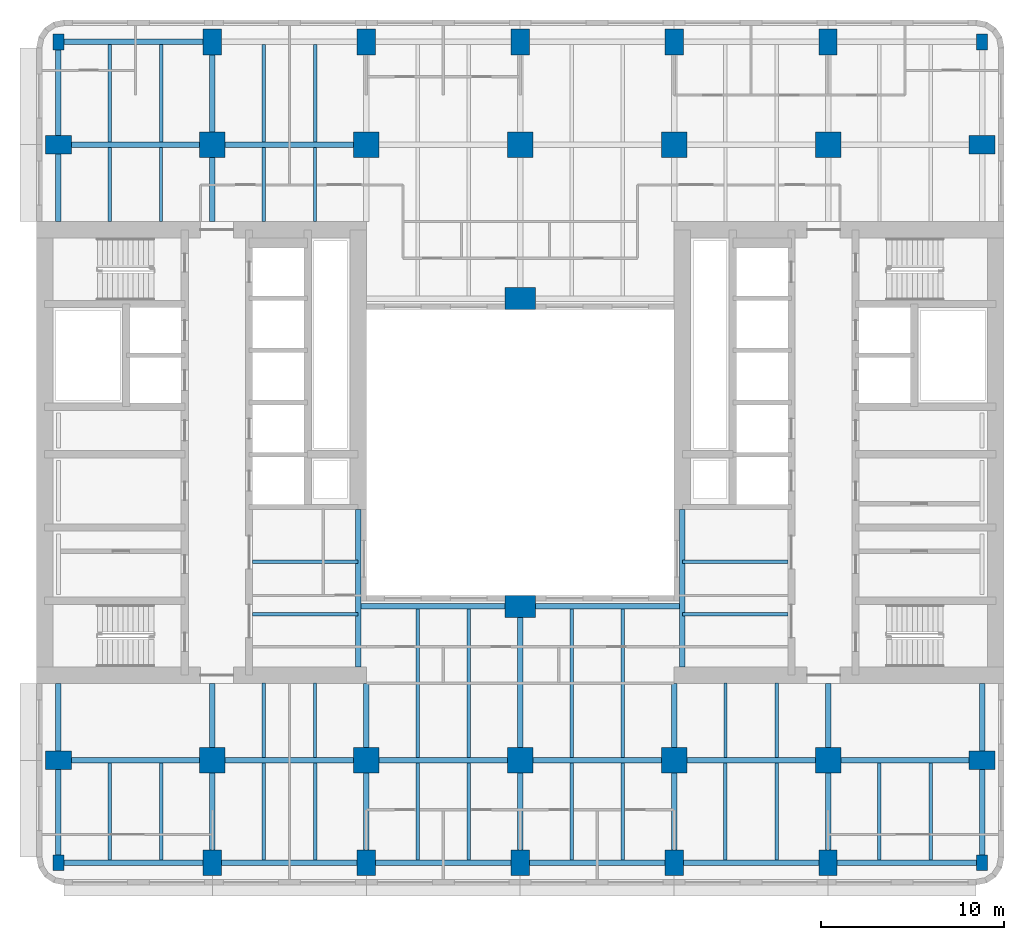
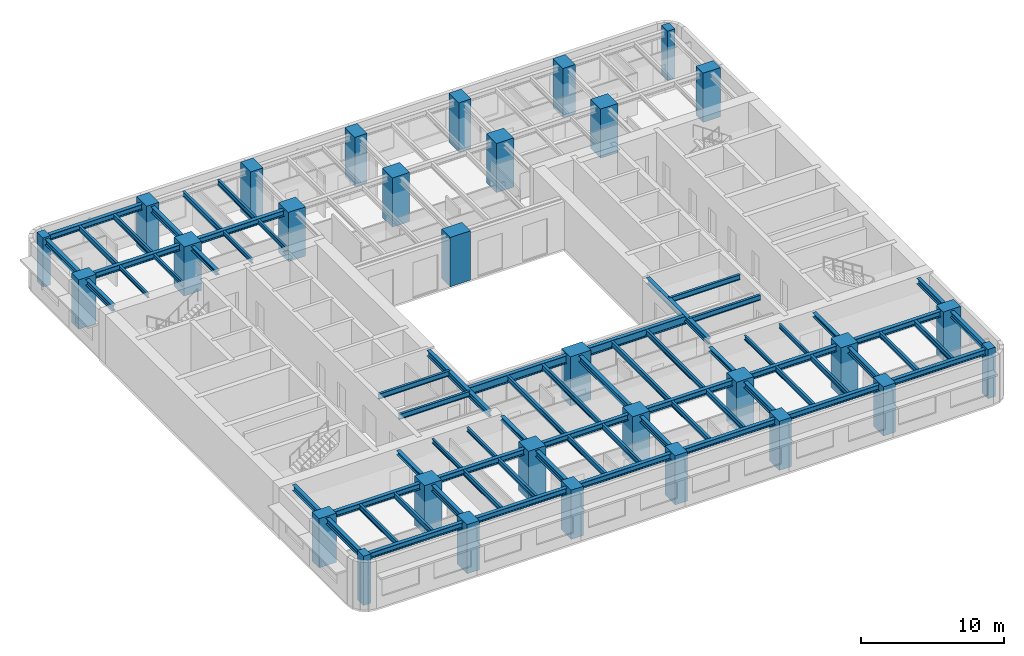
# One storey, part 1 of 11: 69 beams, 30 columns.
"""IFC4 building model written with IfcOpenShell, lengths in metres."""

from ifc_helpers import new_model, si_unit, direction, frame, origin, origin_2d, place, context, subcontext, project, spatial, rectangle, i_section, extrude, material, material_profile, profile_set, type_object, element, save


model = new_model("IFC4")

# Units and contexts
model_context = context("Model", 3, precision=1e-05, world=origin(), true_north=direction((0.0, 1.0)))
body_context = subcontext(model_context, "Body", "Model", "MODEL_VIEW")
ifc_project = project(units=[si_unit("LENGTHUNIT", "METRE"), si_unit("AREAUNIT", "SQUARE_METRE"), si_unit("VOLUMEUNIT", "CUBIC_METRE"), si_unit("PLANEANGLEUNIT", "RADIAN"), si_unit("MASSUNIT", "GRAM", prefix="KILO")], contexts=[model_context])

# Site, building, storey
site_placement = place(None, origin())
site = spatial("IfcSite", under=ifc_project, at=site_placement, CompositionType="ELEMENT")
building_placement = place(site_placement, origin())
building = spatial("IfcBuilding", under=site, at=building_placement, Name="Claustro Exchange Tower", CompositionType="ELEMENT")
storey_placement = place(building_placement, frame((0.0, 0.0, 159.60009765625)))
storey = spatial("IfcBuildingStorey", under=building, at=storey_placement, Name="L36", CompositionType="ELEMENT", Elevation=159.60009765625)

# Columns
ifc_material_1 = material(Name="Concrete HA-70 (C70/85)", Category="concrete")
ifc_material_profile_1 = material_profile(ifc_material_1, rectangle(XDim=1.39990234375, YDim=1.39990234375, at=origin_2d()), Name="RC 1400x1400")
ifc_profile_set_1 = profile_set([ifc_material_profile_1], Name="Concrete HA-70 (C70/85)")
column_type_1 = type_object("IfcColumnType", Name="C0 RC 1400x1400 HA-70 column", PredefinedType="COLUMN", material=ifc_profile_set_1)
for number, where, z_axis, x_axis, name in (
    (1, (8.39990234375, 8.39990234375, 0.0), (0.0, 0.0, 1.0), (1.0, 0.0, 0.0), "Column C0 2/B L36"),
    (2, (8.39990234375, 42.0, 0.0), (0.0, 0.0, 1.0), (1.0, 0.0, 0.0), "Column C0 2/F L36"),
    (3, (16.800048828125, 8.39990234375, 0.0), (0.0, 0.0, 1.0), (1.0, 0.0, 0.0), "Column C0 3/B L36"),
    (4, (16.800048828125, 42.0, 0.0), (0.0, 0.0, 1.0), (1.0, 0.0, 0.0), "Column C0 3/F L36"),
    (5, (25.199951171875, 8.39990234375, 0.0), (0.0, 0.0, 1.0), (1.0, 0.0, 0.0), "Column C0 4/B L36"),
    (6, (25.199951171875, 42.0, 0.0), (0.0, 0.0, 1.0), (1.0, 0.0, 0.0), "Column C0 4/F L36"),
    (7, (33.60009765625, 8.39990234375, 0.0), (0.0, 0.0, 1.0), (1.0, 0.0, 0.0), "Column C0 5/B L36"),
    (8, (33.60009765625, 42.0, 0.0), (0.0, 0.0, 1.0), (1.0, 0.0, 0.0), "Column C0 5/F L36"),
    (9, (42.0, 8.39990234375, 0.0), (0.0, 0.0, 1.0), (1.0, 0.0, 0.0), "Column C0 6/B L36"),
    (10, (42.0, 42.0, 0.0), (0.0, 0.0, 1.0), (1.0, 0.0, 0.0), "Column C0 6/F L36"),
):
    element("IfcColumn", number, at=place(storey_placement, frame(where, z_axis=z_axis, x_axis=x_axis)), inside=storey, type_object=column_type_1, Name=name, PredefinedType="COLUMN", context=body_context, shape_type="SweptSolid", body=[
        extrude(rectangle(XDim=1.39990234375, YDim=1.39990234375, at=origin_2d()), origin(), (0.0, 0.0, 1.0), 4.199951171875),
    ])
ifc_material_2 = material(Name="Concrete HA-70 (C70/85)", Category="concrete")
ifc_material_profile_2 = material_profile(ifc_material_2, rectangle(XDim=1.0, YDim=1.39990234375, at=origin_2d()), Name="RC 1000x1400")
ifc_profile_set_2 = profile_set([ifc_material_profile_2], Name="Concrete HA-70 (C70/85)")
column_type_2 = type_object("IfcColumnType", Name="C22 RC 1000x1400 HA-70 perimeter column", PredefinedType="COLUMN", material=ifc_profile_set_2)
for number, where, z_axis, x_axis, name in (
    (11, (0.0, 8.39990234375, 0.0), (0.0, 0.0, 1.0), (0.0, 1.0, 0.0), "Column C22 1/B L36"),
    (12, (0.0, 42.0, 0.0), (0.0, 0.0, 1.0), (0.0, 1.0, 0.0), "Column C22 1/F L36"),
    (13, (8.39990234375, 2.800048828125, 0.0), (0.0, 0.0, 1.0), (1.0, 0.0, 0.0), "Column C22 2/A+2800 L36"),
    (14, (8.39990234375, 47.60009765625, 0.0), (0.0, 0.0, 1.0), (1.0, 0.0, 0.0), "Column C22 2/F+5600 L36"),
    (15, (16.800048828125, 2.800048828125, 0.0), (0.0, 0.0, 1.0), (1.0, 0.0, 0.0), "Column C22 3/A+2800 L36"),
    (16, (16.800048828125, 47.60009765625, 0.0), (0.0, 0.0, 1.0), (1.0, 0.0, 0.0), "Column C22 3/F+5600 L36"),
    (17, (25.199951171875, 2.800048828125, 0.0), (0.0, 0.0, 1.0), (1.0, 0.0, 0.0), "Column C22 4/A+2800 L36"),
    (18, (25.199951171875, 47.60009765625, 0.0), (0.0, 0.0, 1.0), (1.0, 0.0, 0.0), "Column C22 4/F+5600 L36"),
    (19, (33.60009765625, 2.800048828125, 0.0), (0.0, 0.0, 1.0), (1.0, 0.0, 0.0), "Column C22 5/A+2800 L36"),
    (20, (33.60009765625, 47.60009765625, 0.0), (0.0, 0.0, 1.0), (1.0, 0.0, 0.0), "Column C22 5/F+5600 L36"),
    (21, (42.0, 2.800048828125, 0.0), (0.0, 0.0, 1.0), (1.0, 0.0, 0.0), "Column C22 6/A+2800 L36"),
    (22, (42.0, 47.60009765625, 0.0), (0.0, 0.0, 1.0), (1.0, 0.0, 0.0), "Column C22 6/F+5600 L36"),
    (23, (50.39990234375, 8.39990234375, 0.0), (0.0, 0.0, 1.0), (0.0, 1.0, 0.0), "Column C22 7/B L36"),
    (24, (50.39990234375, 42.0, 0.0), (0.0, 0.0, 1.0), (0.0, 1.0, 0.0), "Column C22 7/F L36"),
):
    element("IfcColumn", number, at=place(storey_placement, frame(where, z_axis=z_axis, x_axis=x_axis)), inside=storey, type_object=column_type_2, Name=name, PredefinedType="COLUMN", context=body_context, shape_type="SweptSolid", body=[
        extrude(rectangle(XDim=1.0, YDim=1.39990234375, at=origin_2d()), origin(), (0.0, 0.0, 1.0), 4.199951171875),
    ])
ifc_material_3 = material(Name="Concrete HA-50 (C50/60)", Category="concrete")
ifc_material_profile_3 = material_profile(ifc_material_3, rectangle(XDim=0.60009765625, YDim=0.85009765625, at=origin_2d()), Name="RC 600x850")
ifc_profile_set_3 = profile_set([ifc_material_profile_3], Name="Concrete HA-50 (C50/60)")
column_type_3 = type_object("IfcColumnType", Name="C25 RC 600x850 HA-50 corner column", PredefinedType="COLUMN", material=ifc_profile_set_3)
for number, where, z_axis, x_axis, name in (
    (25, (0.0, 2.800048828125, 0.0), (0.0, 0.0, 1.0), (1.0, 0.0, 0.0), "Column C25 1/A+2800 L36"),
    (26, (0.0, 47.60009765625, 0.0), (0.0, 0.0, 1.0), (1.0, 0.0, 0.0), "Column C25 1/F+5600 L36"),
    (27, (50.39990234375, 2.800048828125, 0.0), (0.0, 0.0, 1.0), (1.0, 0.0, 0.0), "Column C25 7/A+2800 L36"),
    (28, (50.39990234375, 47.60009765625, 0.0), (0.0, 0.0, 1.0), (1.0, 0.0, 0.0), "Column C25 7/F+5600 L36"),
):
    element("IfcColumn", number, at=place(storey_placement, frame(where, z_axis=z_axis, x_axis=x_axis)), inside=storey, type_object=column_type_3, Name=name, PredefinedType="COLUMN", context=body_context, shape_type="SweptSolid", body=[
        extrude(rectangle(XDim=0.60009765625, YDim=0.85009765625, at=origin_2d()), origin(), (0.0, 0.0, 1.0), 4.199951171875),
    ])
ifc_material_4 = material(Name="Concrete HA-70 (C70/85)", Category="concrete")
ifc_material_profile_4 = material_profile(ifc_material_4, rectangle(XDim=1.64990234375, YDim=1.199951171875, at=origin_2d()), Name="RC 1650x1200")
ifc_profile_set_4 = profile_set([ifc_material_profile_4], Name="Concrete HA-70 (C70/85)")
column_type_4 = type_object("IfcColumnType", Name="C32 RC 1650x1200 HA-70 light well column", PredefinedType="COLUMN", material=ifc_profile_set_4)
for number, where, z_axis, x_axis, name in (
    (29, (25.199951171875, 16.800048828125, 0.0), (0.0, 0.0, 1.0), (1.0, 0.0, 0.0), "Column C32 4/C L36"),
    (30, (25.199951171875, 33.60009765625, 0.0), (0.0, 0.0, 1.0), (1.0, 0.0, 0.0), "Column C32 4/E L36"),
):
    element("IfcColumn", number, at=place(storey_placement, frame(where, z_axis=z_axis, x_axis=x_axis)), inside=storey, type_object=column_type_4, Name=name, PredefinedType="COLUMN", context=body_context, shape_type="SweptSolid", body=[
        extrude(rectangle(XDim=1.64990234375, YDim=1.199951171875, at=origin_2d()), origin(), (0.0, 0.0, 1.0), 4.199951171875),
    ])

# Beams
ifc_material_5 = material(Name="Steel S355", Category="steel")
ifc_material_profile_5 = material_profile(ifc_material_5, i_section(OverallWidth=0.300048828125, OverallDepth=0.68994140625, WebThickness=0.014404296875, FlangeThickness=0.027099609375, FilletRadius=0.027099609375, at=origin_2d()), Name="HE 700 A")
ifc_profile_set_5 = profile_set([ifc_material_profile_5], Name="Steel S355")
beam_type_1 = type_object("IfcBeamType", Name="B13 HE 700 A light well edge girder", PredefinedType="BEAM", material=ifc_profile_set_5)
beam_1_placement = place(storey_placement, frame((16.35009765625, 16.800048828125, 3.704833984375), z_axis=(1.0, 0.0, 0.0), x_axis=(0.0, 1.0, 0.0)))
element("IfcBeam", 31, at=beam_1_placement, inside=storey, type_object=beam_type_1, Name="Beam B13 L37", PredefinedType="BEAM", context=body_context, shape_type="SweptSolid", body=[
    extrude(i_section(OverallWidth=0.300048828125, OverallDepth=0.68994140625, WebThickness=0.014404296875, FlangeThickness=0.027099609375, FilletRadius=0.027099609375, at=origin_2d()), origin(), (0.0, 0.0, 1.0), 8.849853515625),
])
beam_2_placement = place(storey_placement, frame((25.199951171875, 16.800048828125, 3.704833984375), z_axis=(1.0, 0.0, 0.0), x_axis=(0.0, 1.0, 0.0)))
element("IfcBeam", 32, at=beam_2_placement, inside=storey, type_object=beam_type_1, Name="Beam B13 L37", PredefinedType="BEAM", context=body_context, shape_type="SweptSolid", body=[
    extrude(i_section(OverallWidth=0.300048828125, OverallDepth=0.68994140625, WebThickness=0.014404296875, FlangeThickness=0.027099609375, FilletRadius=0.027099609375, at=origin_2d()), origin(), (0.0, 0.0, 1.0), 8.85009765625),
])
ifc_material_6 = material(Name="Steel S355", Category="steel")
ifc_material_profile_6 = material_profile(ifc_material_6, i_section(OverallWidth=0.169921875, OverallDepth=0.360107421875, WebThickness=0.008056640625, FlangeThickness=0.0126953125, FilletRadius=0.01806640625, at=origin_2d()), Name="IPE 360")
ifc_profile_set_6 = profile_set([ifc_material_profile_6], Name="Steel S355")
beam_type_2 = type_object("IfcBeamType", Name="B16 IPE 360 short-span beam", PredefinedType="BEAM", material=ifc_profile_set_6)
for number, where, z_axis, x_axis, name in (
    (33, (2.800048828125, 37.7900390625, 3.869873046875), (0.0, 1.0, 0.0), (-1.0, 0.0, 0.0), "Beam B16 L37"),
    (34, (5.60009765625, 37.7900390625, 3.869873046875), (0.0, 1.0, 0.0), (-1.0, 0.0, 0.0), "Beam B16 L37"),
    (35, (11.199951171875, 8.550048828125, 3.869873046875), (0.0, 1.0, 0.0), (-1.0, 0.0, 0.0), "Beam B16 L37"),
    (36, (14.0, 8.550048828125, 3.869873046875), (0.0, 1.0, 0.0), (-1.0, 0.0, 0.0), "Beam B16 L37"),
    (37, (11.199951171875, 37.7900390625, 3.869873046875), (0.0, 1.0, 0.0), (-1.0, 0.0, 0.0), "Beam B16 L37"),
    (38, (14.0, 37.7900390625, 3.869873046875), (0.0, 1.0, 0.0), (-1.0, 0.0, 0.0), "Beam B16 L37"),
    (39, (36.39990234375, 8.550048828125, 3.869873046875), (0.0, 1.0, 0.0), (-1.0, 0.0, 0.0), "Beam B16 L37"),
    (40, (39.199951171875, 8.550048828125, 3.869873046875), (0.0, 1.0, 0.0), (-1.0, 0.0, 0.0), "Beam B16 L37"),
):
    element("IfcBeam", number, at=place(storey_placement, frame(where, z_axis=z_axis, x_axis=x_axis)), inside=storey, type_object=beam_type_2, Name=name, PredefinedType="BEAM", context=body_context, shape_type="SweptSolid", body=[
        extrude(i_section(OverallWidth=0.169921875, OverallDepth=0.360107421875, WebThickness=0.008056640625, FlangeThickness=0.0126953125, FilletRadius=0.01806640625, at=origin_2d()), origin(), (0.0, 0.0, 1.0), 4.06005859375),
    ])
ifc_material_7 = material(Name="Steel S355", Category="steel")
ifc_material_profile_7 = material_profile(ifc_material_7, i_section(OverallWidth=0.300048828125, OverallDepth=0.360107421875, WebThickness=0.012451171875, FlangeThickness=0.0224609375, FilletRadius=0.027099609375, at=origin_2d()), Name="HE 360 B")
ifc_profile_set_7 = profile_set([ifc_material_profile_7], Name="Steel S355")
beam_type_3 = type_object("IfcBeamType", Name="B29 HE 360 B column to core link beam", PredefinedType="BEAM", material=ifc_profile_set_7)
beam_3_placement = place(storey_placement, frame((8.39990234375, 8.39990234375, 3.869873046875), z_axis=(0.0, 1.0, 0.0), x_axis=(-1.0, 0.0, 0.0)))
element("IfcBeam", 41, at=beam_3_placement, inside=storey, type_object=beam_type_3, Name="Beam B29 L37", PredefinedType="BEAM", context=body_context, shape_type="SweptSolid", body=[
    extrude(i_section(OverallWidth=0.300048828125, OverallDepth=0.360107421875, WebThickness=0.012451171875, FlangeThickness=0.0224609375, FilletRadius=0.027099609375, at=origin_2d()), origin(), (0.0, 0.0, 1.0), 4.2001953125),
])
beam_4_placement = place(storey_placement, frame((8.39990234375, 37.800048828125, 3.869873046875), z_axis=(0.0, 1.0, 0.0), x_axis=(-1.0, 0.0, 0.0)))
element("IfcBeam", 42, at=beam_4_placement, inside=storey, type_object=beam_type_3, Name="Beam B29 L37", PredefinedType="BEAM", context=body_context, shape_type="SweptSolid", body=[
    extrude(i_section(OverallWidth=0.300048828125, OverallDepth=0.360107421875, WebThickness=0.012451171875, FlangeThickness=0.0224609375, FilletRadius=0.027099609375, at=origin_2d()), origin(), (0.0, 0.0, 1.0), 4.199951171875),
])
for number, where, z_axis, x_axis, name in (
    (43, (16.800048828125, 8.39990234375, 3.869873046875), (0.0, 1.0, 0.0), (-1.0, 0.0, 0.0), "Beam B29 L37"),
    (44, (33.60009765625, 8.39990234375, 3.869873046875), (0.0, 1.0, 0.0), (-1.0, 0.0, 0.0), "Beam B29 L37"),
    (45, (42.0, 8.39990234375, 3.869873046875), (0.0, 1.0, 0.0), (-1.0, 0.0, 0.0), "Beam B29 L37"),
):
    element("IfcBeam", number, at=place(storey_placement, frame(where, z_axis=z_axis, x_axis=x_axis)), inside=storey, type_object=beam_type_3, Name=name, PredefinedType="BEAM", context=body_context, shape_type="SweptSolid", body=[
        extrude(i_section(OverallWidth=0.300048828125, OverallDepth=0.360107421875, WebThickness=0.012451171875, FlangeThickness=0.0224609375, FilletRadius=0.027099609375, at=origin_2d()), origin(), (0.0, 0.0, 1.0), 4.2001953125),
    ])
ifc_material_8 = material(Name="Steel S355", Category="steel")
ifc_material_profile_8 = material_profile(ifc_material_8, i_section(OverallWidth=0.300048828125, OverallDepth=0.5, WebThickness=0.014404296875, FlangeThickness=0.028076171875, FilletRadius=0.027099609375, at=origin_2d()), Name="HE 500 B")
ifc_profile_set_8 = profile_set([ifc_material_profile_8], Name="Steel S355")
beam_type_4 = type_object("IfcBeamType", Name="B7 HE 500 B floor girder", PredefinedType="BEAM", material=ifc_profile_set_8)
beam_5_placement = place(storey_placement, frame((8.39990234375, 2.800048828125, 3.7998046875), z_axis=(0.0, 1.0, 0.0), x_axis=(-1.0, 0.0, 0.0)))
element("IfcBeam", 46, at=beam_5_placement, inside=storey, type_object=beam_type_4, Name="Beam B7 L37", PredefinedType="BEAM", context=body_context, shape_type="SweptSolid", body=[
    extrude(i_section(OverallWidth=0.300048828125, OverallDepth=0.5, WebThickness=0.014404296875, FlangeThickness=0.028076171875, FilletRadius=0.027099609375, at=origin_2d()), origin(), (0.0, 0.0, 1.0), 5.599853515625),
])
beam_6_placement = place(storey_placement, frame((8.39990234375, 42.0, 3.7998046875), z_axis=(0.0, 1.0, 0.0), x_axis=(-1.0, 0.0, 0.0)))
element("IfcBeam", 47, at=beam_6_placement, inside=storey, type_object=beam_type_4, Name="Beam B7 L37", PredefinedType="BEAM", context=body_context, shape_type="SweptSolid", body=[
    extrude(i_section(OverallWidth=0.300048828125, OverallDepth=0.5, WebThickness=0.014404296875, FlangeThickness=0.028076171875, FilletRadius=0.027099609375, at=origin_2d()), origin(), (0.0, 0.0, 1.0), 5.60009765625),
])
for number, where, z_axis, x_axis, name in (
    (48, (16.800048828125, 2.800048828125, 3.7998046875), (0.0, 1.0, 0.0), (-1.0, 0.0, 0.0), "Beam B7 L37"),
    (49, (25.199951171875, 2.800048828125, 3.7998046875), (0.0, 1.0, 0.0), (-1.0, 0.0, 0.0), "Beam B7 L37"),
):
    element("IfcBeam", number, at=place(storey_placement, frame(where, z_axis=z_axis, x_axis=x_axis)), inside=storey, type_object=beam_type_4, Name=name, PredefinedType="BEAM", context=body_context, shape_type="SweptSolid", body=[
        extrude(i_section(OverallWidth=0.300048828125, OverallDepth=0.5, WebThickness=0.014404296875, FlangeThickness=0.028076171875, FilletRadius=0.027099609375, at=origin_2d()), origin(), (0.0, 0.0, 1.0), 5.599853515625),
    ])
beam_7_placement = place(storey_placement, frame((25.199951171875, 8.39990234375, 3.7998046875), z_axis=(0.0, 1.0, 0.0), x_axis=(-1.0, 0.0, 0.0)))
element("IfcBeam", 50, at=beam_7_placement, inside=storey, type_object=beam_type_4, Name="Beam B7 L37", PredefinedType="BEAM", context=body_context, shape_type="SweptSolid", body=[
    extrude(i_section(OverallWidth=0.300048828125, OverallDepth=0.5, WebThickness=0.014404296875, FlangeThickness=0.028076171875, FilletRadius=0.027099609375, at=origin_2d()), origin(), (0.0, 0.0, 1.0), 8.400146484375),
])
for number, where, z_axis, x_axis, name in (
    (51, (33.60009765625, 2.800048828125, 3.7998046875), (0.0, 1.0, 0.0), (-1.0, 0.0, 0.0), "Beam B7 L37"),
    (52, (42.0, 2.800048828125, 3.7998046875), (0.0, 1.0, 0.0), (-1.0, 0.0, 0.0), "Beam B7 L37"),
):
    element("IfcBeam", number, at=place(storey_placement, frame(where, z_axis=z_axis, x_axis=x_axis)), inside=storey, type_object=beam_type_4, Name=name, PredefinedType="BEAM", context=body_context, shape_type="SweptSolid", body=[
        extrude(i_section(OverallWidth=0.300048828125, OverallDepth=0.5, WebThickness=0.014404296875, FlangeThickness=0.028076171875, FilletRadius=0.027099609375, at=origin_2d()), origin(), (0.0, 0.0, 1.0), 5.599853515625),
    ])
beam_8_placement = place(storey_placement, frame((0.0, 8.39990234375, 3.7998046875), z_axis=(1.0, 0.0, 0.0), x_axis=(0.0, 1.0, 0.0)))
element("IfcBeam", 53, at=beam_8_placement, inside=storey, type_object=beam_type_4, Name="Beam B7 L37", PredefinedType="BEAM", context=body_context, shape_type="SweptSolid", body=[
    extrude(i_section(OverallWidth=0.300048828125, OverallDepth=0.5, WebThickness=0.014404296875, FlangeThickness=0.028076171875, FilletRadius=0.027099609375, at=origin_2d()), origin(), (0.0, 0.0, 1.0), 8.39990234375),
])
beam_9_placement = place(storey_placement, frame((8.39990234375, 8.39990234375, 3.7998046875), z_axis=(1.0, 0.0, 0.0), x_axis=(0.0, 1.0, 0.0)))
element("IfcBeam", 54, at=beam_9_placement, inside=storey, type_object=beam_type_4, Name="Beam B7 L37", PredefinedType="BEAM", context=body_context, shape_type="SweptSolid", body=[
    extrude(i_section(OverallWidth=0.300048828125, OverallDepth=0.5, WebThickness=0.014404296875, FlangeThickness=0.028076171875, FilletRadius=0.027099609375, at=origin_2d()), origin(), (0.0, 0.0, 1.0), 8.400146484375),
])
beam_10_placement = place(storey_placement, frame((16.800048828125, 8.39990234375, 3.7998046875), z_axis=(1.0, 0.0, 0.0), x_axis=(0.0, 1.0, 0.0)))
element("IfcBeam", 55, at=beam_10_placement, inside=storey, type_object=beam_type_4, Name="Beam B7 L37", PredefinedType="BEAM", context=body_context, shape_type="SweptSolid", body=[
    extrude(i_section(OverallWidth=0.300048828125, OverallDepth=0.5, WebThickness=0.014404296875, FlangeThickness=0.028076171875, FilletRadius=0.027099609375, at=origin_2d()), origin(), (0.0, 0.0, 1.0), 8.39990234375),
])
beam_11_placement = place(storey_placement, frame((25.199951171875, 8.39990234375, 3.7998046875), z_axis=(1.0, 0.0, 0.0), x_axis=(0.0, 1.0, 0.0)))
element("IfcBeam", 56, at=beam_11_placement, inside=storey, type_object=beam_type_4, Name="Beam B7 L37", PredefinedType="BEAM", context=body_context, shape_type="SweptSolid", body=[
    extrude(i_section(OverallWidth=0.300048828125, OverallDepth=0.5, WebThickness=0.014404296875, FlangeThickness=0.028076171875, FilletRadius=0.027099609375, at=origin_2d()), origin(), (0.0, 0.0, 1.0), 8.400146484375),
])
for number, where, z_axis, x_axis, name in (
    (57, (33.60009765625, 8.39990234375, 3.7998046875), (1.0, 0.0, 0.0), (0.0, 1.0, 0.0), "Beam B7 L37"),
    (58, (42.0, 8.39990234375, 3.7998046875), (1.0, 0.0, 0.0), (0.0, 1.0, 0.0), "Beam B7 L37"),
    (59, (0.0, 42.0, 3.7998046875), (1.0, 0.0, 0.0), (0.0, 1.0, 0.0), "Beam B7 L37"),
):
    element("IfcBeam", number, at=place(storey_placement, frame(where, z_axis=z_axis, x_axis=x_axis)), inside=storey, type_object=beam_type_4, Name=name, PredefinedType="BEAM", context=body_context, shape_type="SweptSolid", body=[
        extrude(i_section(OverallWidth=0.300048828125, OverallDepth=0.5, WebThickness=0.014404296875, FlangeThickness=0.028076171875, FilletRadius=0.027099609375, at=origin_2d()), origin(), (0.0, 0.0, 1.0), 8.39990234375),
    ])
beam_12_placement = place(storey_placement, frame((8.39990234375, 42.0, 3.7998046875), z_axis=(1.0, 0.0, 0.0), x_axis=(0.0, 1.0, 0.0)))
element("IfcBeam", 60, at=beam_12_placement, inside=storey, type_object=beam_type_4, Name="Beam B7 L37", PredefinedType="BEAM", context=body_context, shape_type="SweptSolid", body=[
    extrude(i_section(OverallWidth=0.300048828125, OverallDepth=0.5, WebThickness=0.014404296875, FlangeThickness=0.028076171875, FilletRadius=0.027099609375, at=origin_2d()), origin(), (0.0, 0.0, 1.0), 8.400146484375),
])
for number, where, z_axis, x_axis, name in (
    (61, (16.35009765625, 13.5, 3.7998046875), (0.0, 1.0, 0.0), (-1.0, 0.0, 0.0), "Beam B7 core step framing L37"),
    (62, (34.050048828125, 13.5, 3.7998046875), (0.0, 1.0, 0.0), (-1.0, 0.0, 0.0), "Beam B7 core step framing L37"),
):
    element("IfcBeam", number, at=place(storey_placement, frame(where, z_axis=z_axis, x_axis=x_axis)), inside=storey, type_object=beam_type_4, Name=name, PredefinedType="BEAM", context=body_context, shape_type="SweptSolid", body=[
        extrude(i_section(OverallWidth=0.300048828125, OverallDepth=0.5, WebThickness=0.014404296875, FlangeThickness=0.028076171875, FilletRadius=0.027099609375, at=origin_2d()), origin(), (0.0, 0.0, 1.0), 8.60009765625),
    ])
ifc_material_9 = material(Name="Steel S355", Category="steel")
ifc_material_profile_9 = material_profile(ifc_material_9, i_section(OverallWidth=0.18994140625, OverallDepth=0.449951171875, WebThickness=0.009521484375, FlangeThickness=0.0146484375, FilletRadius=0.02099609375, at=origin_2d()), Name="IPE 450")
ifc_profile_set_9 = profile_set([ifc_material_profile_9], Name="Steel S355")
beam_type_5 = type_object("IfcBeamType", Name="B8 IPE 450 secondary beam", PredefinedType="BEAM", material=ifc_profile_set_9)
for number, where, z_axis, x_axis, name in (
    (63, (2.800048828125, 2.949951171875, 3.824951171875), (0.0, 1.0, 0.0), (-1.0, 0.0, 0.0), "Beam B8 L37"),
    (64, (5.60009765625, 2.949951171875, 3.824951171875), (0.0, 1.0, 0.0), (-1.0, 0.0, 0.0), "Beam B8 L37"),
    (65, (2.800048828125, 42.14990234375, 3.824951171875), (0.0, 1.0, 0.0), (-1.0, 0.0, 0.0), "Beam B8 L37"),
    (66, (5.60009765625, 42.14990234375, 3.824951171875), (0.0, 1.0, 0.0), (-1.0, 0.0, 0.0), "Beam B8 L37"),
    (67, (11.199951171875, 2.949951171875, 3.824951171875), (0.0, 1.0, 0.0), (-1.0, 0.0, 0.0), "Beam B8 L37"),
    (68, (14.0, 2.949951171875, 3.824951171875), (0.0, 1.0, 0.0), (-1.0, 0.0, 0.0), "Beam B8 L37"),
    (69, (11.199951171875, 42.14990234375, 3.824951171875), (0.0, 1.0, 0.0), (-1.0, 0.0, 0.0), "Beam B8 L37"),
    (70, (14.0, 42.14990234375, 3.824951171875), (0.0, 1.0, 0.0), (-1.0, 0.0, 0.0), "Beam B8 L37"),
    (71, (19.60009765625, 2.949951171875, 3.824951171875), (0.0, 1.0, 0.0), (-1.0, 0.0, 0.0), "Beam B8 L37"),
    (72, (22.39990234375, 2.949951171875, 3.824951171875), (0.0, 1.0, 0.0), (-1.0, 0.0, 0.0), "Beam B8 L37"),
):
    element("IfcBeam", number, at=place(storey_placement, frame(where, z_axis=z_axis, x_axis=x_axis)), inside=storey, type_object=beam_type_5, Name=name, PredefinedType="BEAM", context=body_context, shape_type="SweptSolid", body=[
        extrude(i_section(OverallWidth=0.18994140625, OverallDepth=0.449951171875, WebThickness=0.009521484375, FlangeThickness=0.0146484375, FilletRadius=0.02099609375, at=origin_2d()), origin(), (0.0, 0.0, 1.0), 5.300048828125),
    ])
for number, where, z_axis, x_axis, name in (
    (73, (19.60009765625, 8.550048828125, 3.824951171875), (0.0, 1.0, 0.0), (-1.0, 0.0, 0.0), "Beam B8 L37"),
    (74, (22.39990234375, 8.550048828125, 3.824951171875), (0.0, 1.0, 0.0), (-1.0, 0.0, 0.0), "Beam B8 L37"),
):
    element("IfcBeam", number, at=place(storey_placement, frame(where, z_axis=z_axis, x_axis=x_axis)), inside=storey, type_object=beam_type_5, Name=name, PredefinedType="BEAM", context=body_context, shape_type="SweptSolid", body=[
        extrude(i_section(OverallWidth=0.18994140625, OverallDepth=0.449951171875, WebThickness=0.009521484375, FlangeThickness=0.0146484375, FilletRadius=0.02099609375, at=origin_2d()), origin(), (0.0, 0.0, 1.0), 8.099853515625),
    ])
for number, where, z_axis, x_axis, name in (
    (75, (28.0, 2.949951171875, 3.824951171875), (0.0, 1.0, 0.0), (-1.0, 0.0, 0.0), "Beam B8 L37"),
    (76, (30.800048828125, 2.949951171875, 3.824951171875), (0.0, 1.0, 0.0), (-1.0, 0.0, 0.0), "Beam B8 L37"),
):
    element("IfcBeam", number, at=place(storey_placement, frame(where, z_axis=z_axis, x_axis=x_axis)), inside=storey, type_object=beam_type_5, Name=name, PredefinedType="BEAM", context=body_context, shape_type="SweptSolid", body=[
        extrude(i_section(OverallWidth=0.18994140625, OverallDepth=0.449951171875, WebThickness=0.009521484375, FlangeThickness=0.0146484375, FilletRadius=0.02099609375, at=origin_2d()), origin(), (0.0, 0.0, 1.0), 5.300048828125),
    ])
for number, where, z_axis, x_axis, name in (
    (77, (28.0, 8.550048828125, 3.824951171875), (0.0, 1.0, 0.0), (-1.0, 0.0, 0.0), "Beam B8 L37"),
    (78, (30.800048828125, 8.550048828125, 3.824951171875), (0.0, 1.0, 0.0), (-1.0, 0.0, 0.0), "Beam B8 L37"),
):
    element("IfcBeam", number, at=place(storey_placement, frame(where, z_axis=z_axis, x_axis=x_axis)), inside=storey, type_object=beam_type_5, Name=name, PredefinedType="BEAM", context=body_context, shape_type="SweptSolid", body=[
        extrude(i_section(OverallWidth=0.18994140625, OverallDepth=0.449951171875, WebThickness=0.009521484375, FlangeThickness=0.0146484375, FilletRadius=0.02099609375, at=origin_2d()), origin(), (0.0, 0.0, 1.0), 8.099853515625),
    ])
for number, where, z_axis, x_axis, name in (
    (79, (36.39990234375, 2.949951171875, 3.824951171875), (0.0, 1.0, 0.0), (-1.0, 0.0, 0.0), "Beam B8 L37"),
    (80, (39.199951171875, 2.949951171875, 3.824951171875), (0.0, 1.0, 0.0), (-1.0, 0.0, 0.0), "Beam B8 L37"),
    (81, (44.800048828125, 2.949951171875, 3.824951171875), (0.0, 1.0, 0.0), (-1.0, 0.0, 0.0), "Beam B8 L37"),
    (82, (47.60009765625, 2.949951171875, 3.824951171875), (0.0, 1.0, 0.0), (-1.0, 0.0, 0.0), "Beam B8 L37"),
):
    element("IfcBeam", number, at=place(storey_placement, frame(where, z_axis=z_axis, x_axis=x_axis)), inside=storey, type_object=beam_type_5, Name=name, PredefinedType="BEAM", context=body_context, shape_type="SweptSolid", body=[
        extrude(i_section(OverallWidth=0.18994140625, OverallDepth=0.449951171875, WebThickness=0.009521484375, FlangeThickness=0.0146484375, FilletRadius=0.02099609375, at=origin_2d()), origin(), (0.0, 0.0, 1.0), 5.300048828125),
    ])
for number, where, z_axis, x_axis, name in (
    (83, (10.60009765625, 16.36669921875, 3.824951171875), (1.0, 0.0, 0.0), (0.0, 1.0, 0.0), "Beam B8 core step framing L37"),
    (84, (10.60009765625, 19.2333984375, 3.824951171875), (1.0, 0.0, 0.0), (0.0, 1.0, 0.0), "Beam B8 core step framing L37"),
    (85, (34.050048828125, 16.36669921875, 3.824951171875), (1.0, 0.0, 0.0), (0.0, 1.0, 0.0), "Beam B8 core step framing L37"),
    (86, (34.050048828125, 19.2333984375, 3.824951171875), (1.0, 0.0, 0.0), (0.0, 1.0, 0.0), "Beam B8 core step framing L37"),
):
    element("IfcBeam", number, at=place(storey_placement, frame(where, z_axis=z_axis, x_axis=x_axis)), inside=storey, type_object=beam_type_5, Name=name, PredefinedType="BEAM", context=body_context, shape_type="SweptSolid", body=[
        extrude(i_section(OverallWidth=0.18994140625, OverallDepth=0.449951171875, WebThickness=0.009521484375, FlangeThickness=0.0146484375, FilletRadius=0.02099609375, at=origin_2d()), origin(), (0.0, 0.0, 1.0), 5.75),
    ])
ifc_material_10 = material(Name="Steel S355", Category="steel")
ifc_material_profile_10 = material_profile(ifc_material_10, i_section(OverallWidth=0.300048828125, OverallDepth=0.489990234375, WebThickness=0.011962890625, FlangeThickness=0.02294921875, FilletRadius=0.027099609375, at=origin_2d()), Name="HE 500 A")
ifc_profile_set_10 = profile_set([ifc_material_profile_10], Name="Steel S355")
beam_type_6 = type_object("IfcBeamType", Name="B9 HE 500 A spandrel edge girder", PredefinedType="SPANDREL", material=ifc_profile_set_10)
beam_13_placement = place(storey_placement, frame((0.0, 2.800048828125, 3.804931640625), z_axis=(0.0, 1.0, 0.0), x_axis=(-1.0, 0.0, 0.0)))
element("IfcBeam", 87, at=beam_13_placement, inside=storey, type_object=beam_type_6, Name="Beam B9 L37", PredefinedType="SPANDREL", context=body_context, shape_type="SweptSolid", body=[
    extrude(i_section(OverallWidth=0.300048828125, OverallDepth=0.489990234375, WebThickness=0.011962890625, FlangeThickness=0.02294921875, FilletRadius=0.027099609375, at=origin_2d()), origin(), (0.0, 0.0, 1.0), 5.599853515625),
])
beam_14_placement = place(storey_placement, frame((0.0, 8.39990234375, 3.804931640625), z_axis=(0.0, 1.0, 0.0), x_axis=(-1.0, 0.0, 0.0)))
element("IfcBeam", 88, at=beam_14_placement, inside=storey, type_object=beam_type_6, Name="Beam B9 L37", PredefinedType="SPANDREL", context=body_context, shape_type="SweptSolid", body=[
    extrude(i_section(OverallWidth=0.300048828125, OverallDepth=0.489990234375, WebThickness=0.011962890625, FlangeThickness=0.02294921875, FilletRadius=0.027099609375, at=origin_2d()), origin(), (0.0, 0.0, 1.0), 4.2001953125),
])
beam_15_placement = place(storey_placement, frame((0.0, 37.800048828125, 3.804931640625), z_axis=(0.0, 1.0, 0.0), x_axis=(-1.0, 0.0, 0.0)))
element("IfcBeam", 89, at=beam_15_placement, inside=storey, type_object=beam_type_6, Name="Beam B9 L37", PredefinedType="SPANDREL", context=body_context, shape_type="SweptSolid", body=[
    extrude(i_section(OverallWidth=0.300048828125, OverallDepth=0.489990234375, WebThickness=0.011962890625, FlangeThickness=0.02294921875, FilletRadius=0.027099609375, at=origin_2d()), origin(), (0.0, 0.0, 1.0), 4.199951171875),
])
beam_16_placement = place(storey_placement, frame((0.0, 42.0, 3.804931640625), z_axis=(0.0, 1.0, 0.0), x_axis=(-1.0, 0.0, 0.0)))
element("IfcBeam", 90, at=beam_16_placement, inside=storey, type_object=beam_type_6, Name="Beam B9 L37", PredefinedType="SPANDREL", context=body_context, shape_type="SweptSolid", body=[
    extrude(i_section(OverallWidth=0.300048828125, OverallDepth=0.489990234375, WebThickness=0.011962890625, FlangeThickness=0.02294921875, FilletRadius=0.027099609375, at=origin_2d()), origin(), (0.0, 0.0, 1.0), 5.60009765625),
])
beam_17_placement = place(storey_placement, frame((50.39990234375, 2.800048828125, 3.804931640625), z_axis=(0.0, 1.0, 0.0), x_axis=(-1.0, 0.0, 0.0)))
element("IfcBeam", 91, at=beam_17_placement, inside=storey, type_object=beam_type_6, Name="Beam B9 L37", PredefinedType="SPANDREL", context=body_context, shape_type="SweptSolid", body=[
    extrude(i_section(OverallWidth=0.300048828125, OverallDepth=0.489990234375, WebThickness=0.011962890625, FlangeThickness=0.02294921875, FilletRadius=0.027099609375, at=origin_2d()), origin(), (0.0, 0.0, 1.0), 5.599853515625),
])
beam_18_placement = place(storey_placement, frame((50.39990234375, 8.39990234375, 3.804931640625), z_axis=(0.0, 1.0, 0.0), x_axis=(-1.0, 0.0, 0.0)))
element("IfcBeam", 92, at=beam_18_placement, inside=storey, type_object=beam_type_6, Name="Beam B9 L37", PredefinedType="SPANDREL", context=body_context, shape_type="SweptSolid", body=[
    extrude(i_section(OverallWidth=0.300048828125, OverallDepth=0.489990234375, WebThickness=0.011962890625, FlangeThickness=0.02294921875, FilletRadius=0.027099609375, at=origin_2d()), origin(), (0.0, 0.0, 1.0), 4.2001953125),
])
beam_19_placement = place(storey_placement, frame((0.0, 2.800048828125, 3.804931640625), z_axis=(1.0, 0.0, 0.0), x_axis=(0.0, 1.0, 0.0)))
element("IfcBeam", 93, at=beam_19_placement, inside=storey, type_object=beam_type_6, Name="Beam B9 L37", PredefinedType="SPANDREL", context=body_context, shape_type="SweptSolid", body=[
    extrude(i_section(OverallWidth=0.300048828125, OverallDepth=0.489990234375, WebThickness=0.011962890625, FlangeThickness=0.02294921875, FilletRadius=0.027099609375, at=origin_2d()), origin(), (0.0, 0.0, 1.0), 8.39990234375),
])
beam_20_placement = place(storey_placement, frame((8.39990234375, 2.800048828125, 3.804931640625), z_axis=(1.0, 0.0, 0.0), x_axis=(0.0, 1.0, 0.0)))
element("IfcBeam", 94, at=beam_20_placement, inside=storey, type_object=beam_type_6, Name="Beam B9 L37", PredefinedType="SPANDREL", context=body_context, shape_type="SweptSolid", body=[
    extrude(i_section(OverallWidth=0.300048828125, OverallDepth=0.489990234375, WebThickness=0.011962890625, FlangeThickness=0.02294921875, FilletRadius=0.027099609375, at=origin_2d()), origin(), (0.0, 0.0, 1.0), 8.400146484375),
])
beam_21_placement = place(storey_placement, frame((16.800048828125, 2.800048828125, 3.804931640625), z_axis=(1.0, 0.0, 0.0), x_axis=(0.0, 1.0, 0.0)))
element("IfcBeam", 95, at=beam_21_placement, inside=storey, type_object=beam_type_6, Name="Beam B9 L37", PredefinedType="SPANDREL", context=body_context, shape_type="SweptSolid", body=[
    extrude(i_section(OverallWidth=0.300048828125, OverallDepth=0.489990234375, WebThickness=0.011962890625, FlangeThickness=0.02294921875, FilletRadius=0.027099609375, at=origin_2d()), origin(), (0.0, 0.0, 1.0), 8.39990234375),
])
beam_22_placement = place(storey_placement, frame((25.199951171875, 2.800048828125, 3.804931640625), z_axis=(1.0, 0.0, 0.0), x_axis=(0.0, 1.0, 0.0)))
element("IfcBeam", 96, at=beam_22_placement, inside=storey, type_object=beam_type_6, Name="Beam B9 L37", PredefinedType="SPANDREL", context=body_context, shape_type="SweptSolid", body=[
    extrude(i_section(OverallWidth=0.300048828125, OverallDepth=0.489990234375, WebThickness=0.011962890625, FlangeThickness=0.02294921875, FilletRadius=0.027099609375, at=origin_2d()), origin(), (0.0, 0.0, 1.0), 8.400146484375),
])
for number, where, z_axis, x_axis, name in (
    (97, (33.60009765625, 2.800048828125, 3.804931640625), (1.0, 0.0, 0.0), (0.0, 1.0, 0.0), "Beam B9 L37"),
    (98, (42.0, 2.800048828125, 3.804931640625), (1.0, 0.0, 0.0), (0.0, 1.0, 0.0), "Beam B9 L37"),
    (99, (0.0, 47.60009765625, 3.804931640625), (1.0, 0.0, 0.0), (0.0, 1.0, 0.0), "Beam B9 L37"),
):
    element("IfcBeam", number, at=place(storey_placement, frame(where, z_axis=z_axis, x_axis=x_axis)), inside=storey, type_object=beam_type_6, Name=name, PredefinedType="SPANDREL", context=body_context, shape_type="SweptSolid", body=[
        extrude(i_section(OverallWidth=0.300048828125, OverallDepth=0.489990234375, WebThickness=0.011962890625, FlangeThickness=0.02294921875, FilletRadius=0.027099609375, at=origin_2d()), origin(), (0.0, 0.0, 1.0), 8.39990234375),
    ])

save(model, "model.ifc")
